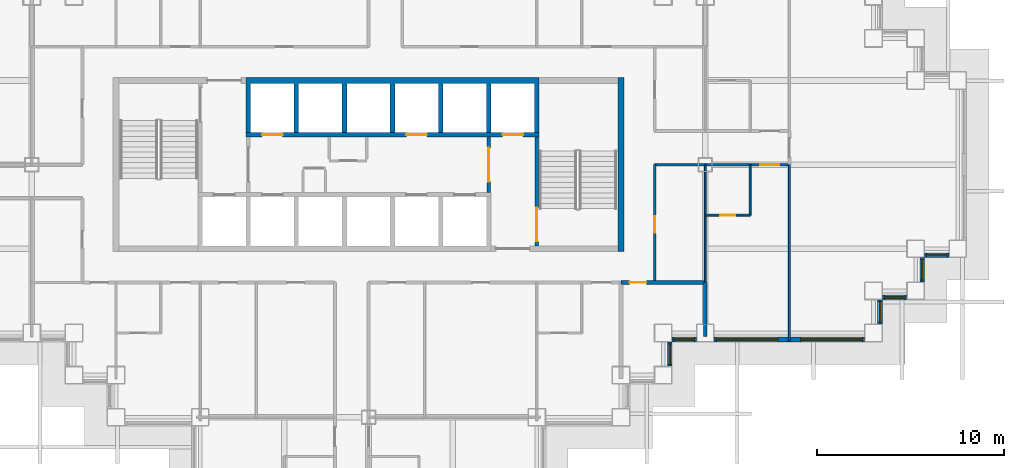
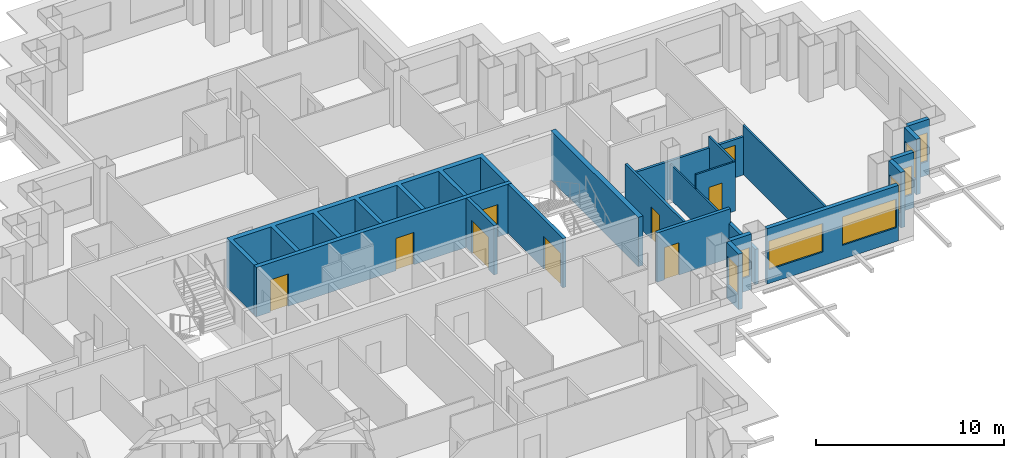
# One storey, part 6 of 15: 20 walls, 9 doors, 8 windows, 17 openings.
"""IFC4 building model written with IfcOpenShell, lengths in metres."""

from ifc_helpers import new_model, si_unit, direction, frame, frame_2d, origin, place, context, subcontext, project, spatial, polyline, rectangle, outline, extrude, material, layer, layer_set, type_object, element, fill, save


model = new_model("IFC4")

# Units and contexts
model_context = context("Model", 3, precision=1e-05, world=origin(), true_north=direction((0.0, 1.0)))
body_context = subcontext(model_context, "Body", "Model", "MODEL_VIEW")
ifc_project = project(units=[si_unit("LENGTHUNIT", "METRE"), si_unit("AREAUNIT", "SQUARE_METRE"), si_unit("VOLUMEUNIT", "CUBIC_METRE"), si_unit("PLANEANGLEUNIT", "RADIAN"), si_unit("MASSUNIT", "GRAM", prefix="KILO")], contexts=[model_context])

# Site, building, storey
site_placement = place(None, origin())
site = spatial("IfcSite", under=ifc_project, at=site_placement, CompositionType="ELEMENT")
building_placement = place(site_placement, origin())
building = spatial("IfcBuilding", under=site, at=building_placement, Name="Caravel Reach Hotel and Residences", CompositionType="ELEMENT")
storey_placement = place(building_placement, frame((0.0, 0.0, 92.39990234375)))
storey = spatial("IfcBuildingStorey", under=building, at=storey_placement, Name="L22", CompositionType="ELEMENT", Elevation=92.39990234375)

# Wall, opening, door
ifc_material_1 = material(Name="Gypsum board on steel stud", Category="steel")
ifc_layer_1 = layer(ifc_material_1, 0.10009765625)
ifc_layer_set_1 = layer_set([ifc_layer_1], Name="Bathroom pod wall 100 mm")
wall_type_1 = type_object("IfcWallType", Name="Bathroom pod wall 100 mm", PredefinedType="PARTITIONING", material=ifc_layer_set_1)
wall_1_placement = place(storey_placement, frame((49.5, 24.300048828125, 0.0), z_axis=(0.0, 0.0, 1.0), x_axis=(1.0, 0.0, 0.0)))
wall_1 = element("IfcWall", 1, at=wall_1_placement, inside=storey, type_object=wall_type_1, Name="L22 wall w076", PredefinedType="PARTITIONING", context=body_context, shape_type="SweptSolid", body=[
    extrude(rectangle(XDim=2.39990234375, YDim=0.10009765625, at=frame_2d((1.199951171875, 0.0))), origin(), (0.0, 0.0, 1.0), 3.2001953125),
])
opening_1_placement = place(wall_1_placement, frame((0.800048828125, 0.0, 0.0)))
opening_1 = element("IfcOpeningElement", 2, at=opening_1_placement, cuts=wall_1, Name="Opening D22-023", PredefinedType="OPENING", context=body_context, shape_type="SweptSolid", body=[
    extrude(rectangle(XDim=0.800048828125, YDim=2.10009765625, at=frame_2d((0.39990234375, 1.050048828125))), frame((0.0, 0.06005859375, 0.0), z_axis=(0.0, -1.0, 0.0), x_axis=(1.0, 0.0, 0.0)), (0.0, 0.0, 1.0), 0.1201171875),
])
ifc_material_2 = material(Name="Timber and steel door leaf", Category="steel")
door_type_1 = type_object("IfcDoorType", Name="Bathroom door 800 x 2100", OperationType="SINGLE_SWING_LEFT", PredefinedType="DOOR", material=ifc_material_2)
door_1_placement = place(opening_1_placement, origin())
door_1 = element("IfcDoor", 3, at=door_1_placement, inside=storey, type_object=door_type_1, Name="door D22-023", OperationType="SINGLE_SWING_RIGHT", OverallHeight=2.10009765625, OverallWidth=0.800048828125, PredefinedType="DOOR", context=body_context, shape_type="SweptSolid", body=[
    extrude(rectangle(XDim=0.800048828125, YDim=2.10009765625, at=frame_2d((0.39990234375, 1.050048828125))), frame((0.0, 0.02490234375, 0.0), z_axis=(0.0, -1.0, 0.0), x_axis=(1.0, 0.0, 0.0)), (0.0, 0.0, 1.0), 0.050048828125),
])
fill(opening_1, door_1)

# Wall
wall_2_placement = place(storey_placement, frame((51.89990234375, 24.300048828125, 0.0), z_axis=(0.0, 0.0, 1.0), x_axis=(0.0, 1.0, 0.0)))
element("IfcWall", 4, at=wall_2_placement, inside=storey, type_object=wall_type_1, Name="L22 wall w093", PredefinedType="PARTITIONING", context=body_context, shape_type="SweptSolid", body=[
    extrude(rectangle(XDim=2.699951171875, YDim=0.10009765625, at=frame_2d((1.35009765625, 0.0))), origin(), (0.0, 0.0, 1.0), 3.2001953125),
])

# Wall, opening, door
ifc_material_3 = material(Name="Autoclaved aerated block wall")
ifc_layer_2 = layer(ifc_material_3, 0.199951171875)
ifc_layer_set_2 = layer_set([ifc_layer_2], Name="Compartment wall 200 mm EI 120")
wall_type_2 = type_object("IfcWallType", Name="Compartment wall 200 mm EI 120", PredefinedType="PARTITIONING", material=ifc_layer_set_2)
wall_3_placement = place(storey_placement, frame((45.0, 20.699951171875, 0.0), z_axis=(0.0, 0.0, 1.0), x_axis=(1.0, 0.0, 0.0)))
wall_3 = element("IfcWall", 5, at=wall_3_placement, inside=storey, type_object=wall_type_2, Name="L22 wall w096", PredefinedType="PARTITIONING", context=body_context, shape_type="SweptSolid", body=[
    extrude(rectangle(XDim=4.5, YDim=0.199951171875, at=frame_2d((2.25, 0.0))), origin(), (0.0, 0.0, 1.0), 3.2001953125),
])
opening_2_placement = place(wall_3_placement, frame((0.449951171875, 0.0, 0.0)))
opening_2 = element("IfcOpeningElement", 6, at=opening_2_placement, cuts=wall_3, Name="Opening D22-047", PredefinedType="OPENING", context=body_context, shape_type="SweptSolid", body=[
    extrude(rectangle(XDim=0.89990234375, YDim=2.10009765625, at=frame_2d((0.449951171875, 1.050048828125))), frame((0.0, 0.10986328125, 0.0), z_axis=(0.0, -1.0, 0.0), x_axis=(1.0, 0.0, 0.0)), (0.0, 0.0, 1.0), 0.219970703125),
])
ifc_material_4 = material(Name="Steel fire door leaf", Category="steel")
door_type_2 = type_object("IfcDoorType", Name="Riser door 900 x 2100 EI 60", OperationType="SINGLE_SWING_LEFT", PredefinedType="DOOR", material=ifc_material_4)
door_2_placement = place(opening_2_placement, origin())
door_2 = element("IfcDoor", 7, at=door_2_placement, inside=storey, type_object=door_type_2, Name="door D22-047", OperationType="SINGLE_SWING_LEFT", OverallHeight=2.10009765625, OverallWidth=0.89990234375, PredefinedType="DOOR", context=body_context, shape_type="SweptSolid", body=[
    extrude(rectangle(XDim=0.89990234375, YDim=2.10009765625, at=frame_2d((0.449951171875, 1.050048828125))), frame((0.0, 0.02490234375, 0.0), z_axis=(0.0, -1.0, 0.0), x_axis=(1.0, 0.0, 0.0)), (0.0, 0.0, 1.0), 0.050048828125),
])
fill(opening_2, door_2)

# Walls
wall_4_placement = place(storey_placement, frame((49.5, 17.81005859375, 0.0), z_axis=(0.0, 0.0, 1.0), x_axis=(0.0, 1.0, 0.0)))
element("IfcWall", 8, at=wall_4_placement, inside=storey, type_object=wall_type_2, Name="L22 wall w099", PredefinedType="PARTITIONING", context=body_context, shape_type="SweptSolid", body=[
    extrude(rectangle(XDim=2.889892578125, YDim=0.199951171875, at=frame_2d((1.44482421875, 0.0))), origin(), (0.0, 0.0, 1.0), 2.280029296875),
])
ifc_material_5 = material(Name="Concrete C60", Category="concrete")
ifc_layer_3 = layer(ifc_material_5, 0.300048828125)
ifc_layer_set_3 = layer_set([ifc_layer_3], Name="Core wall 300 mm EI 120")
wall_type_3 = type_object("IfcWallType", Name="Core wall 300 mm EI 120", PredefinedType="SHEAR", material=ifc_layer_set_3)
wall_5_placement = place(storey_placement, frame((45.0, 22.35009765625, 0.0), z_axis=(0.0, 0.0, 1.0), x_axis=(0.0, 1.0, 0.0)))
element("IfcWall", 9, at=wall_5_placement, inside=storey, type_object=wall_type_3, Name="L22 core wall E", PredefinedType="SHEAR", context=body_context, shape_type="SweptSolid", body=[
    extrude(rectangle(XDim=9.2998046875, YDim=0.300048828125, at=frame_2d((4.64990234375, 0.0))), origin(), (0.0, 0.0, 1.0), 3.2001953125),
])

# Wall, opening, door
ifc_material_6 = material(Name="Gypsum board on steel stud, fire-rated", Category="steel")
ifc_layer_4 = layer(ifc_material_6, 0.14990234375)
ifc_layer_set_4 = layer_set([ifc_layer_4], Name="Corridor wall 150 mm EI 60")
wall_type_4 = type_object("IfcWallType", Name="Corridor wall 150 mm EI 60", PredefinedType="PARTITIONING", material=ifc_layer_set_4)
wall_6_placement = place(storey_placement, frame((46.800048828125, 27.0, 0.0), z_axis=(0.0, 0.0, 1.0), x_axis=(1.0, 0.0, 0.0)))
wall_6 = element("IfcWall", 10, at=wall_6_placement, inside=storey, type_object=wall_type_4, Name="L22 wall w012", PredefinedType="PARTITIONING", context=body_context, shape_type="SweptSolid", body=[
    extrude(rectangle(XDim=7.199951171875, YDim=0.14990234375, at=frame_2d((3.60009765625, 0.0))), origin(), (0.0, 0.0, 1.0), 2.47998046875),
])
opening_3_placement = place(wall_6_placement, frame((5.64990234375, 0.0, 0.0)))
opening_3 = element("IfcOpeningElement", 11, at=opening_3_placement, cuts=wall_6, Name="Opening D22-022", PredefinedType="OPENING", context=body_context, shape_type="SweptSolid", body=[
    extrude(rectangle(XDim=1.0, YDim=2.10009765625, at=frame_2d((0.5, 1.050048828125))), frame((0.0, 0.0849609375, 0.0), z_axis=(0.0, -1.0, 0.0), x_axis=(1.0, 0.0, 0.0)), (0.0, 0.0, 1.0), 0.169921875),
])
ifc_material_7 = material(Name="Steel fire door leaf", Category="steel")
door_type_3 = type_object("IfcDoorType", Name="Guest room door 1000 x 2100 EI 30", OperationType="SINGLE_SWING_LEFT", PredefinedType="DOOR", material=ifc_material_7)
door_3_placement = place(opening_3_placement, origin())
door_3 = element("IfcDoor", 12, at=door_3_placement, inside=storey, type_object=door_type_3, Name="door D22-022", OperationType="SINGLE_SWING_RIGHT", OverallHeight=2.10009765625, OverallWidth=1.0, PredefinedType="DOOR", context=body_context, shape_type="SweptSolid", body=[
    extrude(rectangle(XDim=1.0, YDim=2.10009765625, at=frame_2d((0.5, 1.050048828125))), frame((0.0, 0.02490234375, 0.0), z_axis=(0.0, -1.0, 0.0), x_axis=(1.0, 0.0, 0.0)), (0.0, 0.0, 1.0), 0.050048828125),
])
fill(opening_3, door_3)

wall_7_placement = place(storey_placement, frame((46.800048828125, 20.699951171875, 0.0), z_axis=(0.0, 0.0, 1.0), x_axis=(0.0, 1.0, 0.0)))
wall_7 = element("IfcWall", 13, at=wall_7_placement, inside=storey, type_object=wall_type_4, Name="L22 wall w036", PredefinedType="PARTITIONING", context=body_context, shape_type="SweptSolid", body=[
    extrude(rectangle(XDim=6.300048828125, YDim=0.14990234375, at=frame_2d((3.14990234375, 0.0))), origin(), (0.0, 0.0, 1.0), 3.2001953125),
])
opening_4_placement = place(wall_7_placement, frame((2.64990234375, 0.0, 0.0)))
opening_4 = element("IfcOpeningElement", 14, at=opening_4_placement, cuts=wall_7, Name="Opening D22-056", PredefinedType="OPENING", context=body_context, shape_type="SweptSolid", body=[
    extrude(rectangle(XDim=0.89990234375, YDim=2.10009765625, at=frame_2d((0.449951171875, 1.050048828125))), frame((0.0, 0.0849609375, 0.0), z_axis=(0.0, -1.0, 0.0), x_axis=(1.0, 0.0, 0.0)), (0.0, 0.0, 1.0), 0.169921875),
])
ifc_material_8 = material(Name="Timber and steel door leaf", Category="steel")
door_type_4 = type_object("IfcDoorType", Name="Door 900 x 2100 timber", OperationType="SINGLE_SWING_LEFT", PredefinedType="DOOR", material=ifc_material_8)
door_4_placement = place(opening_4_placement, origin())
door_4 = element("IfcDoor", 15, at=door_4_placement, inside=storey, type_object=door_type_4, Name="door D22-056", OperationType="SINGLE_SWING_RIGHT", OverallHeight=2.10009765625, OverallWidth=0.89990234375, PredefinedType="DOOR", context=body_context, shape_type="SweptSolid", body=[
    extrude(rectangle(XDim=0.89990234375, YDim=2.10009765625, at=frame_2d((0.449951171875, 1.050048828125))), frame((0.0, 0.02490234375, 0.0), z_axis=(0.0, -1.0, 0.0), x_axis=(1.0, 0.0, 0.0)), (0.0, 0.0, 1.0), 0.050048828125),
])
fill(opening_4, door_4)

# Wall, opening, window
ifc_material_9 = material(Name="Insulated rainscreen wall, aluminium cladding", Category="aluminium")
ifc_layer_5 = layer(ifc_material_9, 0.25)
ifc_layer_set_5 = layer_set([ifc_layer_5], Name="EW1 Tower rainscreen wall")
wall_type_5 = type_object("IfcWallType", Name="EW1 Tower rainscreen wall", PredefinedType="SOLIDWALL", material=ifc_layer_set_5)
wall_8_placement = place(storey_placement, frame((47.60009765625, 16.22509765625, 0.0), z_axis=(0.0, 0.0, 1.0), x_axis=(0.0, 1.0, 0.0)))
wall_8 = element("IfcWall", 16, at=wall_8_placement, inside=storey, type_object=wall_type_5, Name="External wall L22 E14.1", PredefinedType="SOLIDWALL", context=body_context, shape_type="SweptSolid", body=[
    extrude(rectangle(XDim=1.2998046875, YDim=0.25, at=frame_2d((0.64990234375, 0.0))), origin(), (0.0, 0.0, 1.0), 3.60009765625),
])
opening_5_placement = place(wall_8_placement, frame((0.10009765625, 0.0, 0.89990234375)))
opening_5 = element("IfcOpeningElement", 17, at=opening_5_placement, cuts=wall_8, Name="Opening WN6", PredefinedType="OPENING", context=body_context, shape_type="SweptSolid", body=[
    extrude(rectangle(XDim=1.10009765625, YDim=1.85009765625, at=frame_2d((0.550048828125, 0.925048828125))), frame((0.0, 0.135009765625, 0.0), z_axis=(0.0, -1.0, 0.0), x_axis=(1.0, 0.0, 0.0)), (0.0, 0.0, 1.0), 0.27001953125),
])
ifc_material_10 = material(Name="Dark low-e glazing in black aluminium frame", Category="aluminium")
window_type_1 = type_object("IfcWindowType", Name="Hotel suite corner window 1100 x 1850", PartitioningType="SINGLE_PANEL", PredefinedType="WINDOW", material=ifc_material_10)
window_1_placement = place(opening_5_placement, origin())
window_1 = element("IfcWindow", 18, at=window_1_placement, inside=storey, type_object=window_type_1, Name="Window L22 E14.1.1", OverallHeight=1.85009765625, OverallWidth=1.10009765625, PartitioningType="SINGLE_PANEL", PredefinedType="WINDOW", context=body_context, shape_type="SweptSolid", body=[
    extrude(rectangle(XDim=1.10009765625, YDim=1.85009765625, at=frame_2d((0.550048828125, 0.925048828125))), frame((0.0, 0.030029296875, 0.0), z_axis=(0.0, -1.0, 0.0), x_axis=(1.0, 0.0, 0.0)), (0.0, 0.0, 1.0), 0.06005859375),
])
fill(opening_5, window_1)

wall_9_placement = place(storey_placement, frame((47.72509765625, 17.64990234375, 0.0), z_axis=(0.0, 0.0, 1.0), x_axis=(1.0, 0.0, 0.0)))
wall_9 = element("IfcWall", 19, at=wall_9_placement, inside=storey, type_object=wall_type_5, Name="External wall L22 S15.1", PredefinedType="SOLIDWALL", context=body_context, shape_type="SweptSolid", body=[
    extrude(rectangle(XDim=1.2998046875, YDim=0.25, at=frame_2d((0.64990234375, 0.0))), origin(), (0.0, 0.0, 1.0), 3.60009765625),
])
opening_6_placement = place(wall_9_placement, frame((0.10009765625, 0.0, 0.89990234375)))
opening_6 = element("IfcOpeningElement", 20, at=opening_6_placement, cuts=wall_9, Name="Opening WN6", PredefinedType="OPENING", context=body_context, shape_type="SweptSolid", body=[
    extrude(rectangle(XDim=1.10009765625, YDim=1.85009765625, at=frame_2d((0.550048828125, 0.925048828125))), frame((0.0, 0.135009765625, 0.0), z_axis=(0.0, -1.0, 0.0), x_axis=(1.0, 0.0, 0.0)), (0.0, 0.0, 1.0), 0.27001953125),
])
window_2_placement = place(opening_6_placement, origin())
window_2 = element("IfcWindow", 21, at=window_2_placement, inside=storey, type_object=window_type_1, Name="Window L22 S15.1.1", OverallHeight=1.85009765625, OverallWidth=1.10009765625, PartitioningType="SINGLE_PANEL", PredefinedType="WINDOW", context=body_context, shape_type="SweptSolid", body=[
    extrude(rectangle(XDim=1.10009765625, YDim=1.85009765625, at=frame_2d((0.550048828125, 0.925048828125))), frame((0.0, 0.030029296875, 0.0), z_axis=(0.0, -1.0, 0.0), x_axis=(1.0, 0.0, 0.0)), (0.0, 0.0, 1.0), 0.06005859375),
])
fill(opening_6, window_2)

# Wall, openings, windows
wall_10_placement = place(storey_placement, frame((49.97509765625, 17.64990234375, 0.0), z_axis=(0.0, 0.0, 1.0), x_axis=(1.0, 0.0, 0.0)))
wall_10 = element("IfcWall", 22, at=wall_10_placement, inside=storey, type_object=wall_type_5, Name="External wall L22 S15.2", PredefinedType="SOLIDWALL", context=body_context, shape_type="SweptSolid", body=[
    extrude(rectangle(XDim=8.0498046875, YDim=0.25, at=frame_2d((4.02490234375, 0.0))), origin(), (0.0, 0.0, 1.0), 3.60009765625),
])
opening_7_placement = place(wall_10_placement, frame((0.125, 0.0, 0.89990234375)))
opening_7 = element("IfcOpeningElement", 23, at=opening_7_placement, cuts=wall_10, Name="Opening WN7", PredefinedType="OPENING", context=body_context, shape_type="SweptSolid", body=[
    extrude(rectangle(XDim=3.300048828125, YDim=1.85009765625, at=frame_2d((1.64990234375, 0.925048828125))), frame((0.0, 0.135009765625, 0.0), z_axis=(0.0, -1.0, 0.0), x_axis=(1.0, 0.0, 0.0)), (0.0, 0.0, 1.0), 0.27001953125),
])
opening_8_placement = place(wall_10_placement, frame((4.625, 0.0, 0.89990234375)))
opening_8 = element("IfcOpeningElement", 24, at=opening_8_placement, cuts=wall_10, Name="Opening WN7", PredefinedType="OPENING", context=body_context, shape_type="SweptSolid", body=[
    extrude(rectangle(XDim=3.300048828125, YDim=1.85009765625, at=frame_2d((1.64990234375, 0.925048828125))), frame((0.0, 0.135009765625, 0.0), z_axis=(0.0, -1.0, 0.0), x_axis=(1.0, 0.0, 0.0)), (0.0, 0.0, 1.0), 0.27001953125),
])
ifc_material_11 = material(Name="Dark low-e glazing in black aluminium frame", Category="aluminium")
window_type_2 = type_object("IfcWindowType", Name="Hotel guest room window 3300 x 1850", PartitioningType="SINGLE_PANEL", PredefinedType="WINDOW", material=ifc_material_11)
window_3_placement = place(opening_7_placement, origin())
window_3 = element("IfcWindow", 25, at=window_3_placement, inside=storey, type_object=window_type_2, Name="Window L22 S15.2.1", OverallHeight=1.85009765625, OverallWidth=3.300048828125, PartitioningType="SINGLE_PANEL", PredefinedType="WINDOW", context=body_context, shape_type="SweptSolid", body=[
    extrude(rectangle(XDim=3.300048828125, YDim=1.85009765625, at=frame_2d((1.64990234375, 0.925048828125))), frame((0.0, 0.030029296875, 0.0), z_axis=(0.0, -1.0, 0.0), x_axis=(1.0, 0.0, 0.0)), (0.0, 0.0, 1.0), 0.06005859375),
])
fill(opening_7, window_3)
window_4_placement = place(opening_8_placement, origin())
window_4 = element("IfcWindow", 26, at=window_4_placement, inside=storey, type_object=window_type_2, Name="Window L22 S15.2.2", OverallHeight=1.85009765625, OverallWidth=3.300048828125, PartitioningType="SINGLE_PANEL", PredefinedType="WINDOW", context=body_context, shape_type="SweptSolid", body=[
    extrude(rectangle(XDim=3.300048828125, YDim=1.85009765625, at=frame_2d((1.64990234375, 0.925048828125))), frame((0.0, 0.030029296875, 0.0), z_axis=(0.0, -1.0, 0.0), x_axis=(1.0, 0.0, 0.0)), (0.0, 0.0, 1.0), 0.06005859375),
])
fill(opening_8, window_4)

# Wall, opening, window
wall_11_placement = place(storey_placement, frame((58.85009765625, 18.47509765625, 0.0), z_axis=(0.0, 0.0, 1.0), x_axis=(0.0, 1.0, 0.0)))
wall_11 = element("IfcWall", 27, at=wall_11_placement, inside=storey, type_object=wall_type_5, Name="External wall L22 E16.1", PredefinedType="SOLIDWALL", context=body_context, shape_type="SweptSolid", body=[
    extrude(rectangle(XDim=1.2998046875, YDim=0.25, at=frame_2d((0.64990234375, 0.0))), origin(), (0.0, 0.0, 1.0), 3.60009765625),
])
opening_9_placement = place(wall_11_placement, frame((0.10009765625, 0.0, 0.89990234375)))
opening_9 = element("IfcOpeningElement", 28, at=opening_9_placement, cuts=wall_11, Name="Opening WN6", PredefinedType="OPENING", context=body_context, shape_type="SweptSolid", body=[
    extrude(rectangle(XDim=1.10009765625, YDim=1.85009765625, at=frame_2d((0.550048828125, 0.925048828125))), frame((0.0, 0.135009765625, 0.0), z_axis=(0.0, -1.0, 0.0), x_axis=(1.0, 0.0, 0.0)), (0.0, 0.0, 1.0), 0.27001953125),
])
window_5_placement = place(opening_9_placement, origin())
window_5 = element("IfcWindow", 29, at=window_5_placement, inside=storey, type_object=window_type_1, Name="Window L22 E16.1.1", OverallHeight=1.85009765625, OverallWidth=1.10009765625, PartitioningType="SINGLE_PANEL", PredefinedType="WINDOW", context=body_context, shape_type="SweptSolid", body=[
    extrude(rectangle(XDim=1.10009765625, YDim=1.85009765625, at=frame_2d((0.550048828125, 0.925048828125))), frame((0.0, 0.030029296875, 0.0), z_axis=(0.0, -1.0, 0.0), x_axis=(1.0, 0.0, 0.0)), (0.0, 0.0, 1.0), 0.06005859375),
])
fill(opening_9, window_5)

wall_12_placement = place(storey_placement, frame((58.97509765625, 19.89990234375, 0.0), z_axis=(0.0, 0.0, 1.0), x_axis=(1.0, 0.0, 0.0)))
wall_12 = element("IfcWall", 30, at=wall_12_placement, inside=storey, type_object=wall_type_5, Name="External wall L22 S17.1", PredefinedType="SOLIDWALL", context=body_context, shape_type="SweptSolid", body=[
    extrude(rectangle(XDim=1.2998046875, YDim=0.25, at=frame_2d((0.64990234375, 0.0))), origin(), (0.0, 0.0, 1.0), 3.60009765625),
])
opening_10_placement = place(wall_12_placement, frame((0.10009765625, 0.0, 0.89990234375)))
opening_10 = element("IfcOpeningElement", 31, at=opening_10_placement, cuts=wall_12, Name="Opening WN6", PredefinedType="OPENING", context=body_context, shape_type="SweptSolid", body=[
    extrude(rectangle(XDim=1.10009765625, YDim=1.85009765625, at=frame_2d((0.550048828125, 0.925048828125))), frame((0.0, 0.135009765625, 0.0), z_axis=(0.0, -1.0, 0.0), x_axis=(1.0, 0.0, 0.0)), (0.0, 0.0, 1.0), 0.27001953125),
])
window_6_placement = place(opening_10_placement, origin())
window_6 = element("IfcWindow", 32, at=window_6_placement, inside=storey, type_object=window_type_1, Name="Window L22 S17.1.1", OverallHeight=1.85009765625, OverallWidth=1.10009765625, PartitioningType="SINGLE_PANEL", PredefinedType="WINDOW", context=body_context, shape_type="SweptSolid", body=[
    extrude(rectangle(XDim=1.10009765625, YDim=1.85009765625, at=frame_2d((0.550048828125, 0.925048828125))), frame((0.0, 0.030029296875, 0.0), z_axis=(0.0, -1.0, 0.0), x_axis=(1.0, 0.0, 0.0)), (0.0, 0.0, 1.0), 0.06005859375),
])
fill(opening_10, window_6)

wall_13_placement = place(storey_placement, frame((61.10009765625, 20.72509765625, 0.0), z_axis=(0.0, 0.0, 1.0), x_axis=(0.0, 1.0, 0.0)))
wall_13 = element("IfcWall", 33, at=wall_13_placement, inside=storey, type_object=wall_type_5, Name="External wall L22 E18.1", PredefinedType="SOLIDWALL", context=body_context, shape_type="SweptSolid", body=[
    extrude(rectangle(XDim=1.2998046875, YDim=0.25, at=frame_2d((0.64990234375, 0.0))), origin(), (0.0, 0.0, 1.0), 3.60009765625),
])
opening_11_placement = place(wall_13_placement, frame((0.10009765625, 0.0, 0.89990234375)))
opening_11 = element("IfcOpeningElement", 34, at=opening_11_placement, cuts=wall_13, Name="Opening WN6", PredefinedType="OPENING", context=body_context, shape_type="SweptSolid", body=[
    extrude(rectangle(XDim=1.10009765625, YDim=1.85009765625, at=frame_2d((0.550048828125, 0.925048828125))), frame((0.0, 0.135009765625, 0.0), z_axis=(0.0, -1.0, 0.0), x_axis=(1.0, 0.0, 0.0)), (0.0, 0.0, 1.0), 0.27001953125),
])
window_7_placement = place(opening_11_placement, origin())
window_7 = element("IfcWindow", 35, at=window_7_placement, inside=storey, type_object=window_type_1, Name="Window L22 E18.1.1", OverallHeight=1.85009765625, OverallWidth=1.10009765625, PartitioningType="SINGLE_PANEL", PredefinedType="WINDOW", context=body_context, shape_type="SweptSolid", body=[
    extrude(rectangle(XDim=1.10009765625, YDim=1.85009765625, at=frame_2d((0.550048828125, 0.925048828125))), frame((0.0, 0.030029296875, 0.0), z_axis=(0.0, -1.0, 0.0), x_axis=(1.0, 0.0, 0.0)), (0.0, 0.0, 1.0), 0.06005859375),
])
fill(opening_11, window_7)

wall_14_placement = place(storey_placement, frame((61.22509765625, 22.14990234375, 0.0), z_axis=(0.0, 0.0, 1.0), x_axis=(1.0, 0.0, 0.0)))
wall_14 = element("IfcWall", 36, at=wall_14_placement, inside=storey, type_object=wall_type_5, Name="External wall L22 S19.1", PredefinedType="SOLIDWALL", context=body_context, shape_type="SweptSolid", body=[
    extrude(rectangle(XDim=1.2998046875, YDim=0.25, at=frame_2d((0.64990234375, 0.0))), origin(), (0.0, 0.0, 1.0), 3.60009765625),
])
opening_12_placement = place(wall_14_placement, frame((0.10009765625, 0.0, 0.89990234375)))
opening_12 = element("IfcOpeningElement", 37, at=opening_12_placement, cuts=wall_14, Name="Opening WN6", PredefinedType="OPENING", context=body_context, shape_type="SweptSolid", body=[
    extrude(rectangle(XDim=1.10009765625, YDim=1.85009765625, at=frame_2d((0.550048828125, 0.925048828125))), frame((0.0, 0.135009765625, 0.0), z_axis=(0.0, -1.0, 0.0), x_axis=(1.0, 0.0, 0.0)), (0.0, 0.0, 1.0), 0.27001953125),
])
window_8_placement = place(opening_12_placement, origin())
window_8 = element("IfcWindow", 38, at=window_8_placement, inside=storey, type_object=window_type_1, Name="Window L22 S19.1.1", OverallHeight=1.85009765625, OverallWidth=1.10009765625, PartitioningType="SINGLE_PANEL", PredefinedType="WINDOW", context=body_context, shape_type="SweptSolid", body=[
    extrude(rectangle(XDim=1.10009765625, YDim=1.85009765625, at=frame_2d((0.550048828125, 0.925048828125))), frame((0.0, 0.030029296875, 0.0), z_axis=(0.0, -1.0, 0.0), x_axis=(1.0, 0.0, 0.0)), (0.0, 0.0, 1.0), 0.06005859375),
])
fill(opening_12, window_8)

# Wall, opening, door
ifc_material_12 = material(Name="Autoclaved aerated block wall")
ifc_layer_6 = layer(ifc_material_12, 0.199951171875)
ifc_layer_set_6 = layer_set([ifc_layer_6], Name="Fire lobby wall 200 mm EI 120")
wall_type_6 = type_object("IfcWallType", Name="Fire lobby wall 200 mm EI 120", PredefinedType="PARTITIONING", material=ifc_layer_set_6)
wall_15_placement = place(storey_placement, frame((37.928466796875, 25.52490234375, 0.0), z_axis=(0.0, 0.0, 1.0), x_axis=(0.0, 1.0, 0.0)))
wall_15 = element("IfcWall", 39, at=wall_15_placement, inside=storey, type_object=wall_type_6, Name="L22 lobby E wall", PredefinedType="PARTITIONING", context=body_context, shape_type="SweptSolid", body=[
    extrude(rectangle(XDim=2.9501953125, YDim=0.199951171875, at=frame_2d((1.47509765625, 0.0))), origin(), (0.0, 0.0, 1.0), 3.2001953125),
])
opening_13_placement = place(wall_15_placement, frame((0.574951171875, 0.0, 0.0)))
opening_13 = element("IfcOpeningElement", 40, at=opening_13_placement, cuts=wall_15, Name="Opening D22-013", PredefinedType="OPENING", context=body_context, shape_type="SweptSolid", body=[
    extrude(rectangle(XDim=1.800048828125, YDim=2.10009765625, at=frame_2d((0.89990234375, 1.050048828125))), frame((0.0, 0.10986328125, 0.0), z_axis=(0.0, -1.0, 0.0), x_axis=(1.0, 0.0, 0.0)), (0.0, 0.0, 1.0), 0.219970703125),
])
ifc_material_13 = material(Name="Steel fire door leaf", Category="steel")
door_type_5 = type_object("IfcDoorType", Name="Fire lobby door pair 1800 x 2100 EI 90", OperationType="DOUBLE_DOOR_SINGLE_SWING", PredefinedType="DOOR", material=ifc_material_13)
door_5_placement = place(opening_13_placement, origin())
door_5 = element("IfcDoor", 41, at=door_5_placement, inside=storey, type_object=door_type_5, Name="lobby E door pair", OperationType="DOUBLE_DOOR_SINGLE_SWING", OverallHeight=2.10009765625, OverallWidth=1.800048828125, PredefinedType="DOOR", context=body_context, shape_type="SweptSolid", body=[
    extrude(rectangle(XDim=1.800048828125, YDim=2.10009765625, at=frame_2d((0.89990234375, 1.050048828125))), frame((0.0, 0.02490234375, 0.0), z_axis=(0.0, -1.0, 0.0), x_axis=(1.0, 0.0, 0.0)), (0.0, 0.0, 1.0), 0.050048828125),
])
fill(opening_13, door_5)

# Walls
ifc_material_14 = material(Name="Gypsum board on steel stud", Category="steel")
ifc_layer_7 = layer(ifc_material_14, 0.10009765625)
ifc_layer_set_7 = layer_set([ifc_layer_7], Name="Partition 100 mm")
wall_type_7 = type_object("IfcWallType", Name="Partition 100 mm", PredefinedType="PARTITIONING", material=ifc_layer_set_7)
wall_16_placement = place(storey_placement, frame((49.5, 20.699951171875, 0.0), z_axis=(0.0, 0.0, 1.0), x_axis=(0.0, 1.0, 0.0)))
element("IfcWall", 42, at=wall_16_placement, inside=storey, type_object=wall_type_7, Name="L22 wall w064", PredefinedType="PARTITIONING", context=body_context, shape_type="SweptSolid", body=[
    extrude(rectangle(XDim=6.300048828125, YDim=0.10009765625, at=frame_2d((3.14990234375, 0.0))), origin(), (0.0, 0.0, 1.0), 2.280029296875),
])
wall_17_placement = place(storey_placement, frame((54.0, 17.5849609375, 0.0), z_axis=(0.0, 0.0, 1.0), x_axis=(0.0, 1.0, 0.0)))
element("IfcWall", 43, at=wall_17_placement, inside=storey, type_object=wall_type_7, Name="L22 wall w066", PredefinedType="PARTITIONING", context=body_context, shape_type="SweptSolid", body=[
    extrude(rectangle(XDim=9.4150390625, YDim=0.10009765625, at=frame_2d((4.70751953125, 0.0))), origin(), (0.0, 0.0, 1.0), 3.2001953125),
])
ifc_material_15 = material(Name="Concrete C60", Category="concrete")
ifc_layer_8 = layer(ifc_material_15, 0.25)
ifc_layer_set_8 = layer_set([ifc_layer_8], Name="Shaft wall 250 mm EI 120")
wall_type_8 = type_object("IfcWallType", Name="Shaft wall 250 mm EI 120", PredefinedType="SHEAR", material=ifc_layer_set_8)
wall_18_placement = place(storey_placement, origin())
element("IfcWall", 44, at=wall_18_placement, inside=storey, type_object=wall_type_8, Name="L22 lift shaft wall N1", PredefinedType="SHEAR", context=body_context, shape_type="SweptSolid", body=[
    extrude(outline(polyline([(24.946533203125, 28.72509765625), (25.196533203125, 28.72509765625), (25.196533203125, 31.35009765625), (27.517822265625, 31.35009765625), (27.517822265625, 28.72509765625), (27.767822265625, 28.72509765625), (27.767822265625, 31.35009765625), (30.08935546875, 31.35009765625), (30.08935546875, 28.72509765625), (30.33935546875, 28.72509765625), (30.33935546875, 31.35009765625), (32.66064453125, 31.35009765625), (32.66064453125, 28.72509765625), (32.91064453125, 28.72509765625), (32.91064453125, 31.35009765625), (35.232177734375, 31.35009765625), (35.232177734375, 28.72509765625), (35.482177734375, 28.72509765625), (35.482177734375, 31.35009765625), (37.803466796875, 31.35009765625), (37.803466796875, 28.72509765625), (38.053466796875, 28.72509765625), (38.053466796875, 31.35009765625), (40.375, 31.35009765625), (40.375, 28.72509765625), (40.625, 28.72509765625), (40.625, 31.64990234375), (24.946533203125, 31.64990234375), (24.946533203125, 28.72509765625)])), origin(), (0.0, 0.0, 1.0), 3.2001953125),
])

# Wall, openings, doors
wall_19_placement = place(storey_placement, frame((24.946533203125, 28.60009765625, 0.0), z_axis=(0.0, 0.0, 1.0), x_axis=(1.0, 0.0, 0.0)))
wall_19 = element("IfcWall", 45, at=wall_19_placement, inside=storey, type_object=wall_type_8, Name="L22 lobby wall N1", PredefinedType="SHEAR", context=body_context, shape_type="SweptSolid", body=[
    extrude(rectangle(XDim=15.678466796875, YDim=0.25, at=frame_2d((7.83935546875, 0.0))), origin(), (0.0, 0.0, 1.0), 3.2001953125),
])
opening_14_placement = place(wall_19_placement, frame((0.860595703125, 0.0, 0.0)))
opening_14 = element("IfcOpeningElement", 46, at=opening_14_placement, cuts=wall_19, Name="Opening D22-004", PredefinedType="OPENING", context=body_context, shape_type="SweptSolid", body=[
    extrude(rectangle(XDim=1.10009765625, YDim=2.10009765625, at=frame_2d((0.550048828125, 1.050048828125))), frame((0.0, 0.135009765625, 0.0), z_axis=(0.0, -1.0, 0.0), x_axis=(1.0, 0.0, 0.0)), (0.0, 0.0, 1.0), 0.27001953125),
])
opening_15_placement = place(wall_19_placement, frame((8.574951171875, 0.0, 0.0)))
opening_15 = element("IfcOpeningElement", 47, at=opening_15_placement, cuts=wall_19, Name="Opening D22-005", PredefinedType="OPENING", context=body_context, shape_type="SweptSolid", body=[
    extrude(rectangle(XDim=1.10009765625, YDim=2.10009765625, at=frame_2d((0.550048828125, 1.050048828125))), frame((0.0, 0.135009765625, 0.0), z_axis=(0.0, -1.0, 0.0), x_axis=(1.0, 0.0, 0.0)), (0.0, 0.0, 1.0), 0.27001953125),
])
opening_16_placement = place(wall_19_placement, frame((13.718017578125, 0.0, 0.0)))
opening_16 = element("IfcOpeningElement", 48, at=opening_16_placement, cuts=wall_19, Name="Opening D22-007", PredefinedType="OPENING", context=body_context, shape_type="SweptSolid", body=[
    extrude(rectangle(XDim=1.10009765625, YDim=2.10009765625, at=frame_2d((0.550048828125, 1.050048828125))), frame((0.0, 0.135009765625, 0.0), z_axis=(0.0, -1.0, 0.0), x_axis=(1.0, 0.0, 0.0)), (0.0, 0.0, 1.0), 0.27001953125),
])
ifc_material_16 = material(Name="Stainless steel landing door", Category="steel")
door_type_6 = type_object("IfcDoorType", Name="Landing door LD 1100 x 2100 sliding", OperationType="DOUBLE_DOOR_SLIDING", PredefinedType="DOOR", material=ifc_material_16)
door_6_placement = place(opening_14_placement, origin())
door_6 = element("IfcDoor", 49, at=door_6_placement, inside=storey, type_object=door_type_6, Name="LP4 landing door", OperationType="DOUBLE_DOOR_SLIDING", OverallHeight=2.10009765625, OverallWidth=1.10009765625, PredefinedType="DOOR", context=body_context, shape_type="SweptSolid", body=[
    extrude(rectangle(XDim=1.10009765625, YDim=2.10009765625, at=frame_2d((0.550048828125, 1.050048828125))), frame((0.0, 0.02490234375, 0.0), z_axis=(0.0, -1.0, 0.0), x_axis=(1.0, 0.0, 0.0)), (0.0, 0.0, 1.0), 0.050048828125),
])
fill(opening_14, door_6)
door_7_placement = place(opening_15_placement, origin())
door_7 = element("IfcDoor", 50, at=door_7_placement, inside=storey, type_object=door_type_6, Name="LP5 landing door", OperationType="DOUBLE_DOOR_SLIDING", OverallHeight=2.10009765625, OverallWidth=1.10009765625, PredefinedType="DOOR", context=body_context, shape_type="SweptSolid", body=[
    extrude(rectangle(XDim=1.10009765625, YDim=2.10009765625, at=frame_2d((0.550048828125, 1.050048828125))), frame((0.0, 0.02490234375, 0.0), z_axis=(0.0, -1.0, 0.0), x_axis=(1.0, 0.0, 0.0)), (0.0, 0.0, 1.0), 0.050048828125),
])
fill(opening_15, door_7)
door_8_placement = place(opening_16_placement, origin())
door_8 = element("IfcDoor", 51, at=door_8_placement, inside=storey, type_object=door_type_6, Name="FL2 landing door", OperationType="DOUBLE_DOOR_SLIDING", OverallHeight=2.10009765625, OverallWidth=1.10009765625, PredefinedType="DOOR", context=body_context, shape_type="SweptSolid", body=[
    extrude(rectangle(XDim=1.10009765625, YDim=2.10009765625, at=frame_2d((0.550048828125, 1.050048828125))), frame((0.0, 0.02490234375, 0.0), z_axis=(0.0, -1.0, 0.0), x_axis=(1.0, 0.0, 0.0)), (0.0, 0.0, 1.0), 0.050048828125),
])
fill(opening_16, door_8)

# Wall, opening, door
ifc_material_17 = material(Name="Concrete C60", Category="concrete")
ifc_layer_9 = layer(ifc_material_17, 0.199951171875)
ifc_layer_set_9 = layer_set([ifc_layer_9], Name="Stair enclosure wall 200 mm EI 120")
wall_type_9 = type_object("IfcWallType", Name="Stair enclosure wall 200 mm EI 120", PredefinedType="SHEAR", material=ifc_layer_set_9)
wall_20_placement = place(storey_placement, frame((40.5, 22.64990234375, 0.0), z_axis=(0.0, 0.0, 1.0), x_axis=(0.0, 1.0, 0.0)))
wall_20 = element("IfcWall", 52, at=wall_20_placement, inside=storey, type_object=wall_type_9, Name="L22 stair B wall", PredefinedType="SHEAR", context=body_context, shape_type="SweptSolid", body=[
    extrude(rectangle(XDim=5.8251953125, YDim=0.199951171875, at=frame_2d((2.91259765625, 0.0))), origin(), (0.0, 0.0, 1.0), 3.2001953125),
])
opening_17_placement = place(wall_20_placement, frame((0.25, 0.0, 0.0)))
opening_17 = element("IfcOpeningElement", 53, at=opening_17_placement, cuts=wall_20, Name="Opening D22-011", PredefinedType="OPENING", context=body_context, shape_type="SweptSolid", body=[
    extrude(rectangle(XDim=1.800048828125, YDim=2.10009765625, at=frame_2d((0.89990234375, 1.050048828125))), frame((0.0, 0.10986328125, 0.0), z_axis=(0.0, -1.0, 0.0), x_axis=(1.0, 0.0, 0.0)), (0.0, 0.0, 1.0), 0.219970703125),
])
ifc_material_18 = material(Name="Steel fire door leaf", Category="steel")
door_type_7 = type_object("IfcDoorType", Name="Stair door pair 1800 x 2100 EI 90", OperationType="DOUBLE_DOOR_SINGLE_SWING", PredefinedType="DOOR", material=ifc_material_18)
door_9_placement = place(opening_17_placement, origin())
door_9 = element("IfcDoor", 54, at=door_9_placement, inside=storey, type_object=door_type_7, Name="stair B door pair", OperationType="DOUBLE_DOOR_SINGLE_SWING", OverallHeight=2.10009765625, OverallWidth=1.800048828125, PredefinedType="DOOR", context=body_context, shape_type="SweptSolid", body=[
    extrude(rectangle(XDim=1.800048828125, YDim=2.10009765625, at=frame_2d((0.89990234375, 1.050048828125))), frame((0.0, 0.02490234375, 0.0), z_axis=(0.0, -1.0, 0.0), x_axis=(1.0, 0.0, 0.0)), (0.0, 0.0, 1.0), 0.050048828125),
])
fill(opening_17, door_9)

save(model, "model.ifc")
